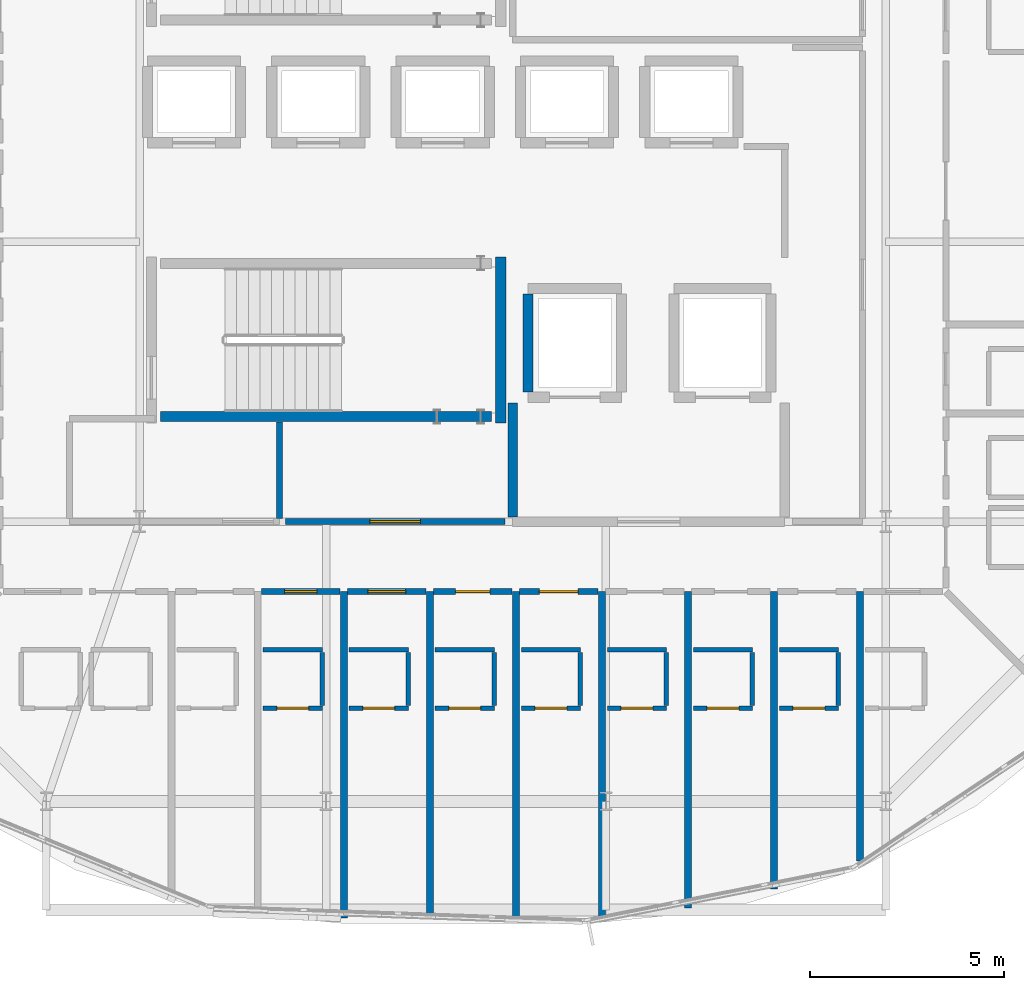
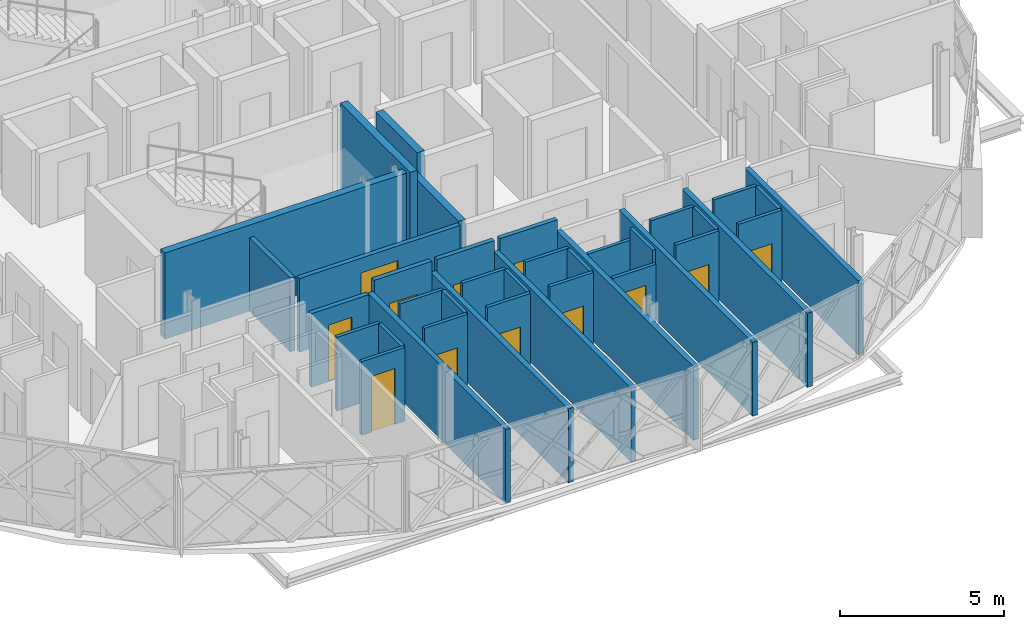
# One storey, part 29 of 40: 38 walls, 12 doors, 12 openings.
"""IFC4 building model written with IfcOpenShell, lengths in metres."""

from ifc_helpers import new_model, si_unit, direction, frame, frame_2d, origin, place, context, subcontext, project, spatial, rectangle, extrude, material, layer, layer_set, type_object, element, fill, save


model = new_model("IFC4")

# Units and contexts
model_context = context("Model", 3, precision=1e-05, world=origin(), true_north=direction((0.0, 1.0)))
body_context = subcontext(model_context, "Body", "Model", "MODEL_VIEW")
ifc_project = project(units=[si_unit("LENGTHUNIT", "METRE"), si_unit("AREAUNIT", "SQUARE_METRE"), si_unit("VOLUMEUNIT", "CUBIC_METRE"), si_unit("PLANEANGLEUNIT", "RADIAN"), si_unit("MASSUNIT", "GRAM", prefix="KILO")], contexts=[model_context])

# Site, building, storey
site_placement = place(None, origin())
site = spatial("IfcSite", under=ifc_project, at=site_placement, CompositionType="ELEMENT")
building_placement = place(site_placement, origin())
building = spatial("IfcBuilding", under=site, at=building_placement, Name="Zevrakil Square Congress Hotel", CompositionType="ELEMENT")
storey_placement = place(building_placement, frame((0.0, 0.0, 18.10009765625)))
storey = spatial("IfcBuildingStorey", under=building, at=storey_placement, Name="L05", CompositionType="ELEMENT", Elevation=18.10009765625)

# Walls
ifc_material_1 = material(Name="Concrete C35/45", Category="concrete")
ifc_layer_1 = layer(ifc_material_1, 0.239990234375)
ifc_layer_set_1 = layer_set([ifc_layer_1], Name="Concrete C35/45")
wall_type_1 = type_object("IfcWallType", Name="WAL-COMP-240", PredefinedType="SOLIDWALL", material=ifc_layer_set_1)
wall_1_placement = place(storey_placement, frame((146.39990234375, 16.925048828125, 0.0), z_axis=(0.0, 0.0, 1.0), x_axis=(0.0, 1.0, 0.0)))
element("IfcWall", 1, at=wall_1_placement, inside=storey, type_object=wall_type_1, Name="L05 interior partition PW-L05-0456", PredefinedType="SOLIDWALL", context=body_context, shape_type="SweptSolid", body=[
    extrude(rectangle(XDim=2.925048828125, YDim=0.239990234375, at=frame_2d((1.46240234375, 0.0))), origin(), (0.0, 0.0, 1.0), 2.744873046875),
])
ifc_material_2 = material(Name="Gypsum Acoustic Stud Partition")
ifc_layer_2 = layer(ifc_material_2, 0.159912109375)
ifc_layer_set_2 = layer_set([ifc_layer_2], Name="Gypsum Acoustic Stud Partition")
wall_type_2 = type_object("IfcWallType", Name="WAL-CORR-160", PredefinedType="PARTITIONING", material=ifc_layer_set_2)
wall_2_placement = place(storey_placement, frame((140.39990234375, 16.885009765625, 0.0), z_axis=(0.0, 0.0, 1.0), x_axis=(0.0, 1.0, 0.0)))
element("IfcWall", 2, at=wall_2_placement, inside=storey, type_object=wall_type_2, Name="L05 interior partition PW-L05-0460", PredefinedType="PARTITIONING", context=body_context, shape_type="SweptSolid", body=[
    extrude(rectangle(XDim=2.47998046875, YDim=0.159912109375, at=frame_2d((1.239990234375, 0.0))), origin(), (0.0, 0.0, 1.0), 2.744873046875),
])

# Wall, opening, door
wall_3_placement = place(storey_placement, frame((140.550048828125, 16.800048828125, 0.0), z_axis=(0.0, 0.0, 1.0), x_axis=(1.0, 0.0, 0.0)))
wall_3 = element("IfcWall", 3, at=wall_3_placement, inside=storey, type_object=wall_type_2, Name="L05 interior partition PW-L05-0462", PredefinedType="PARTITIONING", context=body_context, shape_type="SweptSolid", body=[
    extrude(rectangle(XDim=5.64990234375, YDim=0.159912109375, at=frame_2d((2.824951171875, 0.0))), origin(), (0.0, 0.0, 1.0), 2.744873046875),
])
opening_1_placement = place(wall_3_placement, frame((2.175048828125, 0.0, 0.0)))
opening_1 = element("IfcOpeningElement", 4, at=opening_1_placement, cuts=wall_3, Name="Opening ID-08", PredefinedType="OPENING", context=body_context, shape_type="SweptSolid", body=[
    extrude(rectangle(XDim=1.300048828125, YDim=2.199951171875, at=frame_2d((0.64990234375, 1.10009765625))), frame((0.0, 0.08984375, 0.0), z_axis=(0.0, -1.0, 0.0), x_axis=(1.0, 0.0, 0.0)), (0.0, 0.0, 1.0), 0.179931640625),
])
ifc_material_3 = material(Name="Service Corridor Leaf-and-Half Door")
door_type_1 = type_object("IfcDoorType", Name="DOR-BOH-130", OperationType="NOTDEFINED", PredefinedType="DOOR", material=ifc_material_3)
door_1_placement = place(opening_1_placement, origin())
door_1 = element("IfcDoor", 5, at=door_1_placement, inside=storey, type_object=door_type_1, Name="L05 interior door 187", OperationType="SINGLE_SWING_LEFT", OverallHeight=2.199951171875, OverallWidth=1.300048828125, PredefinedType="DOOR", context=body_context, shape_type="SweptSolid", body=[
    extrude(rectangle(XDim=1.300048828125, YDim=2.199951171875, at=frame_2d((0.64990234375, 1.10009765625))), frame((0.0, 0.02490234375, 0.0), z_axis=(0.0, -1.0, 0.0), x_axis=(1.0, 0.0, 0.0)), (0.0, 0.0, 1.0), 0.050048828125),
])
fill(opening_1, door_1)

wall_4_placement = place(storey_placement, frame((139.935791015625, 15.0, 0.0), z_axis=(0.0, 0.0, 1.0), x_axis=(1.0, 0.0, 0.0)))
wall_4 = element("IfcWall", 6, at=wall_4_placement, inside=storey, type_object=wall_type_2, Name="L05 interior partition PW-L05-0494", PredefinedType="PARTITIONING", context=body_context, shape_type="SweptSolid", body=[
    extrude(rectangle(XDim=2.023681640625, YDim=0.159912109375, at=frame_2d((1.01171875, 0.0))), origin(), (0.0, 0.0, 1.0), 2.744873046875),
])
opening_2_placement = place(wall_4_placement, frame((0.5966796875, 0.0, 0.0)))
opening_2 = element("IfcOpeningElement", 7, at=opening_2_placement, cuts=wall_4, Name="Opening ID-G10", PredefinedType="OPENING", context=body_context, shape_type="SweptSolid", body=[
    extrude(rectangle(XDim=0.830078125, YDim=2.110107421875, at=frame_2d((0.4150390625, 1.05517578125))), frame((0.0, 0.08984375, 0.0), z_axis=(0.0, -1.0, 0.0), x_axis=(1.0, 0.0, 0.0)), (0.0, 0.0, 1.0), 0.179931640625),
])
ifc_material_4 = material(Name="Acoustic Timber Fire Door", Category="wood")
door_type_2 = type_object("IfcDoorType", Name="DOR-INT-G10", OperationType="NOTDEFINED", PredefinedType="DOOR", material=ifc_material_4)
door_2_placement = place(opening_2_placement, origin())
door_2 = element("IfcDoor", 8, at=door_2_placement, inside=storey, type_object=door_type_2, Name="L05 interior door 198", OperationType="SINGLE_SWING_RIGHT", OverallHeight=2.110107421875, OverallWidth=0.830078125, PredefinedType="DOOR", context=body_context, shape_type="SweptSolid", body=[
    extrude(rectangle(XDim=0.830078125, YDim=2.110107421875, at=frame_2d((0.4150390625, 1.05517578125))), frame((0.0, 0.02490234375, 0.0), z_axis=(0.0, -1.0, 0.0), x_axis=(1.0, 0.0, 0.0)), (0.0, 0.0, 1.0), 0.050048828125),
])
fill(opening_2, door_2)

wall_5_placement = place(storey_placement, frame((142.1494140625, 15.0, 0.0), z_axis=(0.0, 0.0, 1.0), x_axis=(1.0, 0.0, 0.0)))
wall_5 = element("IfcWall", 9, at=wall_5_placement, inside=storey, type_object=wall_type_2, Name="L05 interior partition PW-L05-0499", PredefinedType="PARTITIONING", context=body_context, shape_type="SweptSolid", body=[
    extrude(rectangle(XDim=2.023681640625, YDim=0.159912109375, at=frame_2d((1.01171875, 0.0))), origin(), (0.0, 0.0, 1.0), 3.2099609375),
])
opening_3_placement = place(wall_5_placement, frame((0.52587890625, 0.0, 0.0)))
opening_3 = element("IfcOpeningElement", 10, at=opening_3_placement, cuts=wall_5, Name="Opening ID-H11", PredefinedType="OPENING", context=body_context, shape_type="SweptSolid", body=[
    extrude(rectangle(XDim=0.971923828125, YDim=2.159912109375, at=frame_2d((0.48583984375, 1.080078125))), frame((0.0, 0.08984375, 0.0), z_axis=(0.0, -1.0, 0.0), x_axis=(1.0, 0.0, 0.0)), (0.0, 0.0, 1.0), 0.179931640625),
])
ifc_material_5 = material(Name="Acoustic Timber Fire Door", Category="wood")
door_type_3 = type_object("IfcDoorType", Name="DOR-INT-H11", OperationType="NOTDEFINED", PredefinedType="DOOR", material=ifc_material_5)
door_3_placement = place(opening_3_placement, origin())
door_3 = element("IfcDoor", 11, at=door_3_placement, inside=storey, type_object=door_type_3, Name="L05 interior door 200", OperationType="SINGLE_SWING_RIGHT", OverallHeight=2.159912109375, OverallWidth=0.971923828125, PredefinedType="DOOR", context=body_context, shape_type="SweptSolid", body=[
    extrude(rectangle(XDim=0.971923828125, YDim=2.159912109375, at=frame_2d((0.48583984375, 1.080078125))), frame((0.0, 0.02490234375, 0.0), z_axis=(0.0, -1.0, 0.0), x_axis=(1.0, 0.0, 0.0)), (0.0, 0.0, 1.0), 0.050048828125),
])
fill(opening_3, door_3)

wall_6_placement = place(storey_placement, frame((144.36328125, 15.0, 0.0), z_axis=(0.0, 0.0, 1.0), x_axis=(1.0, 0.0, 0.0)))
wall_6 = element("IfcWall", 12, at=wall_6_placement, inside=storey, type_object=wall_type_2, Name="L05 interior partition PW-L05-0504", PredefinedType="PARTITIONING", context=body_context, shape_type="SweptSolid", body=[
    extrude(rectangle(XDim=2.0234375, YDim=0.159912109375, at=frame_2d((1.01171875, 0.0))), origin(), (0.0, 0.0, 1.0), 3.2099609375),
])
opening_4_placement = place(wall_6_placement, frame((0.57177734375, 0.0, 0.0)))
opening_4 = element("IfcOpeningElement", 13, at=opening_4_placement, cuts=wall_6, Name="Opening ID-G02", PredefinedType="OPENING", context=body_context, shape_type="SweptSolid", body=[
    extrude(rectangle(XDim=0.8798828125, YDim=2.050048828125, at=frame_2d((0.43994140625, 1.02490234375))), frame((0.0, 0.08984375, 0.0), z_axis=(0.0, -1.0, 0.0), x_axis=(1.0, 0.0, 0.0)), (0.0, 0.0, 1.0), 0.179931640625),
])
ifc_material_6 = material(Name="Acoustic Timber Fire Door", Category="wood")
door_type_4 = type_object("IfcDoorType", Name="DOR-INT-G02", OperationType="NOTDEFINED", PredefinedType="DOOR", material=ifc_material_6)
door_4_placement = place(opening_4_placement, origin())
door_4 = element("IfcDoor", 14, at=door_4_placement, inside=storey, type_object=door_type_4, Name="L05 interior door 202", OperationType="SINGLE_SWING_RIGHT", OverallHeight=2.050048828125, OverallWidth=0.8798828125, PredefinedType="DOOR", context=body_context, shape_type="SweptSolid", body=[
    extrude(rectangle(XDim=0.8798828125, YDim=2.050048828125, at=frame_2d((0.43994140625, 1.02490234375))), frame((0.0, 0.02490234375, 0.0), z_axis=(0.0, -1.0, 0.0), x_axis=(1.0, 0.0, 0.0)), (0.0, 0.0, 1.0), 0.050048828125),
])
fill(opening_4, door_4)

wall_7_placement = place(storey_placement, frame((146.576904296875, 15.0, 0.0), z_axis=(0.0, 0.0, 1.0), x_axis=(1.0, 0.0, 0.0)))
wall_7 = element("IfcWall", 15, at=wall_7_placement, inside=storey, type_object=wall_type_2, Name="L05 interior partition PW-L05-0509", PredefinedType="PARTITIONING", context=body_context, shape_type="SweptSolid", body=[
    extrude(rectangle(XDim=2.023681640625, YDim=0.159912109375, at=frame_2d((1.01171875, 0.0))), origin(), (0.0, 0.0, 1.0), 3.2099609375),
])
opening_5_placement = place(wall_7_placement, frame((0.513916015625, 0.0, 0.0)))
opening_5 = element("IfcOpeningElement", 16, at=opening_5_placement, cuts=wall_7, Name="Opening ID-H13", PredefinedType="OPENING", context=body_context, shape_type="SweptSolid", body=[
    extrude(rectangle(XDim=0.99609375, YDim=2.10009765625, at=frame_2d((0.498046875, 1.050048828125))), frame((0.0, 0.08984375, 0.0), z_axis=(0.0, -1.0, 0.0), x_axis=(1.0, 0.0, 0.0)), (0.0, 0.0, 1.0), 0.179931640625),
])
ifc_material_7 = material(Name="Acoustic Timber Fire Door", Category="wood")
door_type_5 = type_object("IfcDoorType", Name="DOR-INT-H13", OperationType="NOTDEFINED", PredefinedType="DOOR", material=ifc_material_7)
door_5_placement = place(opening_5_placement, origin())
door_5 = element("IfcDoor", 17, at=door_5_placement, inside=storey, type_object=door_type_5, Name="L05 interior door 204", OperationType="SINGLE_SWING_RIGHT", OverallHeight=2.10009765625, OverallWidth=0.99609375, PredefinedType="DOOR", context=body_context, shape_type="SweptSolid", body=[
    extrude(rectangle(XDim=0.99609375, YDim=2.10009765625, at=frame_2d((0.498046875, 1.050048828125))), frame((0.0, 0.02490234375, 0.0), z_axis=(0.0, -1.0, 0.0), x_axis=(1.0, 0.0, 0.0)), (0.0, 0.0, 1.0), 0.050048828125),
])
fill(opening_5, door_5)

ifc_material_8 = material(Name="Moisture-Resistant Gypsum Partition")
ifc_layer_3 = layer(ifc_material_8, 0.1201171875)
ifc_layer_set_3 = layer_set([ifc_layer_3], Name="Moisture-Resistant Gypsum Partition")
wall_type_3 = type_object("IfcWallType", Name="WAL-ENS-120", PredefinedType="PARTITIONING", material=ifc_layer_set_3)
wall_8_placement = place(storey_placement, frame((139.98095703125, 12.0, 0.0), z_axis=(0.0, 0.0, 1.0), x_axis=(1.0, 0.0, 0.0)))
wall_8 = element("IfcWall", 18, at=wall_8_placement, inside=storey, type_object=wall_type_3, Name="L05 interior partition PW-L05-0495", PredefinedType="PARTITIONING", context=body_context, shape_type="SweptSolid", body=[
    extrude(rectangle(XDim=1.52001953125, YDim=0.1201171875, at=frame_2d((0.760009765625, 0.0))), origin(), (0.0, 0.0, 1.0), 2.744873046875),
])
opening_6_placement = place(wall_8_placement, frame((0.35009765625, 0.0, 0.0)))
opening_6 = element("IfcOpeningElement", 19, at=opening_6_placement, cuts=wall_8, Name="Opening ID-11", PredefinedType="OPENING", context=body_context, shape_type="SweptSolid", body=[
    extrude(rectangle(XDim=0.820068359375, YDim=2.080078125, at=frame_2d((0.41015625, 1.0400390625))), frame((0.0, 0.070068359375, 0.0), z_axis=(0.0, -1.0, 0.0), x_axis=(1.0, 0.0, 0.0)), (0.0, 0.0, 1.0), 0.14013671875),
])
ifc_material_9 = material(Name="Acoustic Timber Door", Category="wood")
door_type_6 = type_object("IfcDoorType", Name="DOR-INT-V01", OperationType="NOTDEFINED", PredefinedType="DOOR", material=ifc_material_9)
door_6_placement = place(opening_6_placement, origin())
door_6 = element("IfcDoor", 20, at=door_6_placement, inside=storey, type_object=door_type_6, Name="L05 interior door 199", OperationType="SINGLE_SWING_LEFT", OverallHeight=2.080078125, OverallWidth=0.820068359375, PredefinedType="DOOR", context=body_context, shape_type="SweptSolid", body=[
    extrude(rectangle(XDim=0.820068359375, YDim=2.080078125, at=frame_2d((0.41015625, 1.0400390625))), frame((0.0, 0.02490234375, 0.0), z_axis=(0.0, -1.0, 0.0), x_axis=(1.0, 0.0, 0.0)), (0.0, 0.0, 1.0), 0.050048828125),
])
fill(opening_6, door_6)

# Walls
wall_9_placement = place(storey_placement, frame((139.98095703125, 13.5, 0.0), z_axis=(0.0, 0.0, 1.0), x_axis=(1.0, 0.0, 0.0)))
element("IfcWall", 21, at=wall_9_placement, inside=storey, type_object=wall_type_3, Name="L05 interior partition PW-L05-0496", PredefinedType="PARTITIONING", context=body_context, shape_type="SweptSolid", body=[
    extrude(rectangle(XDim=1.52001953125, YDim=0.1201171875, at=frame_2d((0.760009765625, 0.0))), origin(), (0.0, 0.0, 1.0), 2.744873046875),
])
wall_10_placement = place(storey_placement, frame((141.5009765625, 12.06494140625, 0.0), z_axis=(0.0, 0.0, 1.0), x_axis=(0.0, 1.0, 0.0)))
element("IfcWall", 22, at=wall_10_placement, inside=storey, type_object=wall_type_3, Name="L05 interior partition PW-L05-0497", PredefinedType="PARTITIONING", context=body_context, shape_type="SweptSolid", body=[
    extrude(rectangle(XDim=1.3701171875, YDim=0.1201171875, at=frame_2d((0.68505859375, 0.0))), origin(), (0.0, 0.0, 1.0), 2.744873046875),
])

# Wall, opening, door
wall_11_placement = place(storey_placement, frame((142.194580078125, 12.0, 0.0), z_axis=(0.0, 0.0, 1.0), x_axis=(1.0, 0.0, 0.0)))
wall_11 = element("IfcWall", 23, at=wall_11_placement, inside=storey, type_object=wall_type_3, Name="L05 interior partition PW-L05-0500", PredefinedType="PARTITIONING", context=body_context, shape_type="SweptSolid", body=[
    extrude(rectangle(XDim=1.52001953125, YDim=0.1201171875, at=frame_2d((0.760009765625, 0.0))), origin(), (0.0, 0.0, 1.0), 3.2099609375),
])
opening_7_placement = place(wall_11_placement, frame((0.35009765625, 0.0, 0.0)))
opening_7 = element("IfcOpeningElement", 24, at=opening_7_placement, cuts=wall_11, Name="Opening ID-11", PredefinedType="OPENING", context=body_context, shape_type="SweptSolid", body=[
    extrude(rectangle(XDim=0.820068359375, YDim=2.080078125, at=frame_2d((0.41015625, 1.0400390625))), frame((0.0, 0.070068359375, 0.0), z_axis=(0.0, -1.0, 0.0), x_axis=(1.0, 0.0, 0.0)), (0.0, 0.0, 1.0), 0.14013671875),
])
door_7_placement = place(opening_7_placement, origin())
door_7 = element("IfcDoor", 25, at=door_7_placement, inside=storey, type_object=door_type_6, Name="L05 interior door 201", OperationType="SINGLE_SWING_LEFT", OverallHeight=2.080078125, OverallWidth=0.820068359375, PredefinedType="DOOR", context=body_context, shape_type="SweptSolid", body=[
    extrude(rectangle(XDim=0.820068359375, YDim=2.080078125, at=frame_2d((0.41015625, 1.0400390625))), frame((0.0, 0.02490234375, 0.0), z_axis=(0.0, -1.0, 0.0), x_axis=(1.0, 0.0, 0.0)), (0.0, 0.0, 1.0), 0.050048828125),
])
fill(opening_7, door_7)

# Walls
wall_12_placement = place(storey_placement, frame((142.194580078125, 13.5, 0.0), z_axis=(0.0, 0.0, 1.0), x_axis=(1.0, 0.0, 0.0)))
element("IfcWall", 26, at=wall_12_placement, inside=storey, type_object=wall_type_3, Name="L05 interior partition PW-L05-0501", PredefinedType="PARTITIONING", context=body_context, shape_type="SweptSolid", body=[
    extrude(rectangle(XDim=1.52001953125, YDim=0.1201171875, at=frame_2d((0.760009765625, 0.0))), origin(), (0.0, 0.0, 1.0), 3.2099609375),
])
wall_13_placement = place(storey_placement, frame((143.714599609375, 12.06494140625, 0.0), z_axis=(0.0, 0.0, 1.0), x_axis=(0.0, 1.0, 0.0)))
element("IfcWall", 27, at=wall_13_placement, inside=storey, type_object=wall_type_3, Name="L05 interior partition PW-L05-0502", PredefinedType="PARTITIONING", context=body_context, shape_type="SweptSolid", body=[
    extrude(rectangle(XDim=1.3701171875, YDim=0.1201171875, at=frame_2d((0.68505859375, 0.0))), origin(), (0.0, 0.0, 1.0), 3.2099609375),
])

# Wall, opening, door
wall_14_placement = place(storey_placement, frame((144.408203125, 12.0, 0.0), z_axis=(0.0, 0.0, 1.0), x_axis=(1.0, 0.0, 0.0)))
wall_14 = element("IfcWall", 28, at=wall_14_placement, inside=storey, type_object=wall_type_3, Name="L05 interior partition PW-L05-0505", PredefinedType="PARTITIONING", context=body_context, shape_type="SweptSolid", body=[
    extrude(rectangle(XDim=1.52001953125, YDim=0.1201171875, at=frame_2d((0.760009765625, 0.0))), origin(), (0.0, 0.0, 1.0), 3.2099609375),
])
opening_8_placement = place(wall_14_placement, frame((0.35009765625, 0.0, 0.0)))
opening_8 = element("IfcOpeningElement", 29, at=opening_8_placement, cuts=wall_14, Name="Opening ID-11", PredefinedType="OPENING", context=body_context, shape_type="SweptSolid", body=[
    extrude(rectangle(XDim=0.820068359375, YDim=2.080078125, at=frame_2d((0.41015625, 1.0400390625))), frame((0.0, 0.070068359375, 0.0), z_axis=(0.0, -1.0, 0.0), x_axis=(1.0, 0.0, 0.0)), (0.0, 0.0, 1.0), 0.14013671875),
])
door_8_placement = place(opening_8_placement, origin())
door_8 = element("IfcDoor", 30, at=door_8_placement, inside=storey, type_object=door_type_6, Name="L05 interior door 203", OperationType="SINGLE_SWING_LEFT", OverallHeight=2.080078125, OverallWidth=0.820068359375, PredefinedType="DOOR", context=body_context, shape_type="SweptSolid", body=[
    extrude(rectangle(XDim=0.820068359375, YDim=2.080078125, at=frame_2d((0.41015625, 1.0400390625))), frame((0.0, 0.02490234375, 0.0), z_axis=(0.0, -1.0, 0.0), x_axis=(1.0, 0.0, 0.0)), (0.0, 0.0, 1.0), 0.050048828125),
])
fill(opening_8, door_8)

# Walls
wall_15_placement = place(storey_placement, frame((144.408203125, 13.5, 0.0), z_axis=(0.0, 0.0, 1.0), x_axis=(1.0, 0.0, 0.0)))
element("IfcWall", 31, at=wall_15_placement, inside=storey, type_object=wall_type_3, Name="L05 interior partition PW-L05-0506", PredefinedType="PARTITIONING", context=body_context, shape_type="SweptSolid", body=[
    extrude(rectangle(XDim=1.52001953125, YDim=0.1201171875, at=frame_2d((0.760009765625, 0.0))), origin(), (0.0, 0.0, 1.0), 3.2099609375),
])
wall_16_placement = place(storey_placement, frame((145.92822265625, 12.06494140625, 0.0), z_axis=(0.0, 0.0, 1.0), x_axis=(0.0, 1.0, 0.0)))
element("IfcWall", 32, at=wall_16_placement, inside=storey, type_object=wall_type_3, Name="L05 interior partition PW-L05-0507", PredefinedType="PARTITIONING", context=body_context, shape_type="SweptSolid", body=[
    extrude(rectangle(XDim=1.3701171875, YDim=0.1201171875, at=frame_2d((0.68505859375, 0.0))), origin(), (0.0, 0.0, 1.0), 3.2099609375),
])

# Wall, opening, door
wall_17_placement = place(storey_placement, frame((146.621826171875, 12.0, 0.0), z_axis=(0.0, 0.0, 1.0), x_axis=(1.0, 0.0, 0.0)))
wall_17 = element("IfcWall", 33, at=wall_17_placement, inside=storey, type_object=wall_type_3, Name="L05 interior partition PW-L05-0510", PredefinedType="PARTITIONING", context=body_context, shape_type="SweptSolid", body=[
    extrude(rectangle(XDim=1.52001953125, YDim=0.1201171875, at=frame_2d((0.760009765625, 0.0))), origin(), (0.0, 0.0, 1.0), 3.2099609375),
])
opening_9_placement = place(wall_17_placement, frame((0.35009765625, 0.0, 0.0)))
opening_9 = element("IfcOpeningElement", 34, at=opening_9_placement, cuts=wall_17, Name="Opening ID-11", PredefinedType="OPENING", context=body_context, shape_type="SweptSolid", body=[
    extrude(rectangle(XDim=0.820068359375, YDim=2.080078125, at=frame_2d((0.41015625, 1.0400390625))), frame((0.0, 0.070068359375, 0.0), z_axis=(0.0, -1.0, 0.0), x_axis=(1.0, 0.0, 0.0)), (0.0, 0.0, 1.0), 0.14013671875),
])
door_9_placement = place(opening_9_placement, origin())
door_9 = element("IfcDoor", 35, at=door_9_placement, inside=storey, type_object=door_type_6, Name="L05 interior door 205", OperationType="SINGLE_SWING_LEFT", OverallHeight=2.080078125, OverallWidth=0.820068359375, PredefinedType="DOOR", context=body_context, shape_type="SweptSolid", body=[
    extrude(rectangle(XDim=0.820068359375, YDim=2.080078125, at=frame_2d((0.41015625, 1.0400390625))), frame((0.0, 0.02490234375, 0.0), z_axis=(0.0, -1.0, 0.0), x_axis=(1.0, 0.0, 0.0)), (0.0, 0.0, 1.0), 0.050048828125),
])
fill(opening_9, door_9)

# Walls
wall_18_placement = place(storey_placement, frame((146.621826171875, 13.5, 0.0), z_axis=(0.0, 0.0, 1.0), x_axis=(1.0, 0.0, 0.0)))
element("IfcWall", 36, at=wall_18_placement, inside=storey, type_object=wall_type_3, Name="L05 interior partition PW-L05-0511", PredefinedType="PARTITIONING", context=body_context, shape_type="SweptSolid", body=[
    extrude(rectangle(XDim=1.52001953125, YDim=0.1201171875, at=frame_2d((0.760009765625, 0.0))), origin(), (0.0, 0.0, 1.0), 3.2099609375),
])
wall_19_placement = place(storey_placement, frame((148.141845703125, 12.06494140625, 0.0), z_axis=(0.0, 0.0, 1.0), x_axis=(0.0, 1.0, 0.0)))
element("IfcWall", 37, at=wall_19_placement, inside=storey, type_object=wall_type_3, Name="L05 interior partition PW-L05-0512", PredefinedType="PARTITIONING", context=body_context, shape_type="SweptSolid", body=[
    extrude(rectangle(XDim=1.3701171875, YDim=0.1201171875, at=frame_2d((0.68505859375, 0.0))), origin(), (0.0, 0.0, 1.0), 3.2099609375),
])

# Wall, opening, door
wall_20_placement = place(storey_placement, frame((148.83544921875, 12.0, 0.0), z_axis=(0.0, 0.0, 1.0), x_axis=(1.0, 0.0, 0.0)))
wall_20 = element("IfcWall", 38, at=wall_20_placement, inside=storey, type_object=wall_type_3, Name="L05 interior partition PW-L05-0515", PredefinedType="PARTITIONING", context=body_context, shape_type="SweptSolid", body=[
    extrude(rectangle(XDim=1.52001953125, YDim=0.1201171875, at=frame_2d((0.760009765625, 0.0))), origin(), (0.0, 0.0, 1.0), 2.744873046875),
])
opening_10_placement = place(wall_20_placement, frame((0.35009765625, 0.0, 0.0)))
opening_10 = element("IfcOpeningElement", 39, at=opening_10_placement, cuts=wall_20, Name="Opening ID-11", PredefinedType="OPENING", context=body_context, shape_type="SweptSolid", body=[
    extrude(rectangle(XDim=0.820068359375, YDim=2.080078125, at=frame_2d((0.41015625, 1.0400390625))), frame((0.0, 0.070068359375, 0.0), z_axis=(0.0, -1.0, 0.0), x_axis=(1.0, 0.0, 0.0)), (0.0, 0.0, 1.0), 0.14013671875),
])
door_10_placement = place(opening_10_placement, origin())
door_10 = element("IfcDoor", 40, at=door_10_placement, inside=storey, type_object=door_type_6, Name="L05 interior door 207", OperationType="SINGLE_SWING_LEFT", OverallHeight=2.080078125, OverallWidth=0.820068359375, PredefinedType="DOOR", context=body_context, shape_type="SweptSolid", body=[
    extrude(rectangle(XDim=0.820068359375, YDim=2.080078125, at=frame_2d((0.41015625, 1.0400390625))), frame((0.0, 0.02490234375, 0.0), z_axis=(0.0, -1.0, 0.0), x_axis=(1.0, 0.0, 0.0)), (0.0, 0.0, 1.0), 0.050048828125),
])
fill(opening_10, door_10)

# Walls
wall_21_placement = place(storey_placement, frame((148.83544921875, 13.5, 0.0), z_axis=(0.0, 0.0, 1.0), x_axis=(1.0, 0.0, 0.0)))
element("IfcWall", 41, at=wall_21_placement, inside=storey, type_object=wall_type_3, Name="L05 interior partition PW-L05-0516", PredefinedType="PARTITIONING", context=body_context, shape_type="SweptSolid", body=[
    extrude(rectangle(XDim=1.52001953125, YDim=0.1201171875, at=frame_2d((0.760009765625, 0.0))), origin(), (0.0, 0.0, 1.0), 2.744873046875),
])
wall_22_placement = place(storey_placement, frame((150.35546875, 12.06494140625, 0.0), z_axis=(0.0, 0.0, 1.0), x_axis=(0.0, 1.0, 0.0)))
element("IfcWall", 42, at=wall_22_placement, inside=storey, type_object=wall_type_3, Name="L05 interior partition PW-L05-0517", PredefinedType="PARTITIONING", context=body_context, shape_type="SweptSolid", body=[
    extrude(rectangle(XDim=1.3701171875, YDim=0.1201171875, at=frame_2d((0.68505859375, 0.0))), origin(), (0.0, 0.0, 1.0), 3.2099609375),
])

# Wall, opening, door
wall_23_placement = place(storey_placement, frame((151.049072265625, 12.0, 0.0), z_axis=(0.0, 0.0, 1.0), x_axis=(1.0, 0.0, 0.0)))
wall_23 = element("IfcWall", 43, at=wall_23_placement, inside=storey, type_object=wall_type_3, Name="L05 interior partition PW-L05-0520", PredefinedType="PARTITIONING", context=body_context, shape_type="SweptSolid", body=[
    extrude(rectangle(XDim=1.52001953125, YDim=0.1201171875, at=frame_2d((0.760009765625, 0.0))), origin(), (0.0, 0.0, 1.0), 3.2099609375),
])
opening_11_placement = place(wall_23_placement, frame((0.35009765625, 0.0, 0.0)))
opening_11 = element("IfcOpeningElement", 44, at=opening_11_placement, cuts=wall_23, Name="Opening ID-11", PredefinedType="OPENING", context=body_context, shape_type="SweptSolid", body=[
    extrude(rectangle(XDim=0.820068359375, YDim=2.080078125, at=frame_2d((0.41015625, 1.0400390625))), frame((0.0, 0.070068359375, 0.0), z_axis=(0.0, -1.0, 0.0), x_axis=(1.0, 0.0, 0.0)), (0.0, 0.0, 1.0), 0.14013671875),
])
door_11_placement = place(opening_11_placement, origin())
door_11 = element("IfcDoor", 45, at=door_11_placement, inside=storey, type_object=door_type_6, Name="L05 interior door 209", OperationType="SINGLE_SWING_LEFT", OverallHeight=2.080078125, OverallWidth=0.820068359375, PredefinedType="DOOR", context=body_context, shape_type="SweptSolid", body=[
    extrude(rectangle(XDim=0.820068359375, YDim=2.080078125, at=frame_2d((0.41015625, 1.0400390625))), frame((0.0, 0.02490234375, 0.0), z_axis=(0.0, -1.0, 0.0), x_axis=(1.0, 0.0, 0.0)), (0.0, 0.0, 1.0), 0.050048828125),
])
fill(opening_11, door_11)

# Walls
wall_24_placement = place(storey_placement, frame((151.049072265625, 13.5, 0.0), z_axis=(0.0, 0.0, 1.0), x_axis=(1.0, 0.0, 0.0)))
element("IfcWall", 46, at=wall_24_placement, inside=storey, type_object=wall_type_3, Name="L05 interior partition PW-L05-0521", PredefinedType="PARTITIONING", context=body_context, shape_type="SweptSolid", body=[
    extrude(rectangle(XDim=1.52001953125, YDim=0.1201171875, at=frame_2d((0.760009765625, 0.0))), origin(), (0.0, 0.0, 1.0), 3.2099609375),
])
wall_25_placement = place(storey_placement, frame((152.569091796875, 12.06494140625, 0.0), z_axis=(0.0, 0.0, 1.0), x_axis=(0.0, 1.0, 0.0)))
element("IfcWall", 47, at=wall_25_placement, inside=storey, type_object=wall_type_3, Name="L05 interior partition PW-L05-0522", PredefinedType="PARTITIONING", context=body_context, shape_type="SweptSolid", body=[
    extrude(rectangle(XDim=1.3701171875, YDim=0.1201171875, at=frame_2d((0.68505859375, 0.0))), origin(), (0.0, 0.0, 1.0), 3.2099609375),
])

# Wall, opening, door
wall_26_placement = place(storey_placement, frame((153.2626953125, 12.0, 0.0), z_axis=(0.0, 0.0, 1.0), x_axis=(1.0, 0.0, 0.0)))
wall_26 = element("IfcWall", 48, at=wall_26_placement, inside=storey, type_object=wall_type_3, Name="L05 interior partition PW-L05-0525", PredefinedType="PARTITIONING", context=body_context, shape_type="SweptSolid", body=[
    extrude(rectangle(XDim=1.52001953125, YDim=0.1201171875, at=frame_2d((0.760009765625, 0.0))), origin(), (0.0, 0.0, 1.0), 3.2099609375),
])
opening_12_placement = place(wall_26_placement, frame((0.35009765625, 0.0, 0.0)))
opening_12 = element("IfcOpeningElement", 49, at=opening_12_placement, cuts=wall_26, Name="Opening ID-11", PredefinedType="OPENING", context=body_context, shape_type="SweptSolid", body=[
    extrude(rectangle(XDim=0.820068359375, YDim=2.080078125, at=frame_2d((0.41015625, 1.0400390625))), frame((0.0, 0.070068359375, 0.0), z_axis=(0.0, -1.0, 0.0), x_axis=(1.0, 0.0, 0.0)), (0.0, 0.0, 1.0), 0.14013671875),
])
door_12_placement = place(opening_12_placement, origin())
door_12 = element("IfcDoor", 50, at=door_12_placement, inside=storey, type_object=door_type_6, Name="L05 interior door 211", OperationType="SINGLE_SWING_LEFT", OverallHeight=2.080078125, OverallWidth=0.820068359375, PredefinedType="DOOR", context=body_context, shape_type="SweptSolid", body=[
    extrude(rectangle(XDim=0.820068359375, YDim=2.080078125, at=frame_2d((0.41015625, 1.0400390625))), frame((0.0, 0.02490234375, 0.0), z_axis=(0.0, -1.0, 0.0), x_axis=(1.0, 0.0, 0.0)), (0.0, 0.0, 1.0), 0.050048828125),
])
fill(opening_12, door_12)

# Walls
wall_27_placement = place(storey_placement, frame((153.2626953125, 13.5, 0.0), z_axis=(0.0, 0.0, 1.0), x_axis=(1.0, 0.0, 0.0)))
element("IfcWall", 51, at=wall_27_placement, inside=storey, type_object=wall_type_3, Name="L05 interior partition PW-L05-0526", PredefinedType="PARTITIONING", context=body_context, shape_type="SweptSolid", body=[
    extrude(rectangle(XDim=1.52001953125, YDim=0.1201171875, at=frame_2d((0.760009765625, 0.0))), origin(), (0.0, 0.0, 1.0), 3.2099609375),
])
wall_28_placement = place(storey_placement, frame((154.78271484375, 12.06494140625, 0.0), z_axis=(0.0, 0.0, 1.0), x_axis=(0.0, 1.0, 0.0)))
element("IfcWall", 52, at=wall_28_placement, inside=storey, type_object=wall_type_3, Name="L05 interior partition PW-L05-0527", PredefinedType="PARTITIONING", context=body_context, shape_type="SweptSolid", body=[
    extrude(rectangle(XDim=1.3701171875, YDim=0.1201171875, at=frame_2d((0.68505859375, 0.0))), origin(), (0.0, 0.0, 1.0), 3.2099609375),
])
ifc_material_10 = material(Name="Gypsum Twin-Stud Party Partition")
ifc_layer_4 = layer(ifc_material_10, 0.179931640625)
ifc_layer_set_4 = layer_set([ifc_layer_4], Name="Gypsum Twin-Stud Party Partition")
wall_type_4 = type_object("IfcWallType", Name="WAL-PARTY-180", PredefinedType="PARTITIONING", material=ifc_layer_set_4)
wall_29_placement = place(storey_placement, frame((142.054443359375, 6.604736328125, 0.0), z_axis=(0.0, 0.0, 1.0), x_axis=(0.0, 1.0, 0.0)))
element("IfcWall", 53, at=wall_29_placement, inside=storey, type_object=wall_type_4, Name="L05 interior partition PW-L05-0498", PredefinedType="PARTITIONING", context=body_context, shape_type="SweptSolid", body=[
    extrude(rectangle(XDim=8.395263671875, YDim=0.179931640625, at=frame_2d((4.19775390625, 0.0))), origin(), (0.0, 0.0, 1.0), 2.7548828125),
])
for number, where, z_axis, x_axis, name in (
    (54, (144.268310546875, 6.597412109375, 0.0), (0.0, 0.0, 1.0), (0.0, 1.0, 0.0), "L05 interior partition PW-L05-0503"),
    (55, (146.481689453125, 6.597412109375, 0.0), (0.0, 0.0, 1.0), (0.0, 1.0, 0.0), "L05 interior partition PW-L05-0508"),
):
    element("IfcWall", number, at=place(storey_placement, frame(where, z_axis=z_axis, x_axis=x_axis)), inside=storey, type_object=wall_type_4, Name=name, PredefinedType="PARTITIONING", context=body_context, shape_type="SweptSolid", body=[
        extrude(rectangle(XDim=8.402587890625, YDim=0.179931640625, at=frame_2d((4.201171875, 0.0))), origin(), (0.0, 0.0, 1.0), 2.7548828125),
    ])
wall_30_placement = place(storey_placement, frame((148.695556640625, 6.63916015625, 0.0), z_axis=(0.0, 0.0, 1.0), x_axis=(0.0, 1.0, 0.0)))
element("IfcWall", 56, at=wall_30_placement, inside=storey, type_object=wall_type_4, Name="L05 interior partition PW-L05-0513", PredefinedType="PARTITIONING", context=body_context, shape_type="SweptSolid", body=[
    extrude(rectangle(XDim=8.36083984375, YDim=0.179931640625, at=frame_2d((4.180419921875, 0.0))), origin(), (0.0, 0.0, 1.0), 2.7548828125),
])
wall_31_placement = place(storey_placement, frame((150.9091796875, 6.857177734375, 0.0), z_axis=(0.0, 0.0, 1.0), x_axis=(0.0, 1.0, 0.0)))
element("IfcWall", 57, at=wall_31_placement, inside=storey, type_object=wall_type_4, Name="L05 interior partition PW-L05-0518", PredefinedType="PARTITIONING", context=body_context, shape_type="SweptSolid", body=[
    extrude(rectangle(XDim=8.142822265625, YDim=0.179931640625, at=frame_2d((4.0712890625, 0.0))), origin(), (0.0, 0.0, 1.0), 2.7548828125),
])
wall_32_placement = place(storey_placement, frame((153.122802734375, 7.352294921875, 0.0), z_axis=(0.0, 0.0, 1.0), x_axis=(0.0, 1.0, 0.0)))
element("IfcWall", 58, at=wall_32_placement, inside=storey, type_object=wall_type_4, Name="L05 interior partition PW-L05-0523", PredefinedType="PARTITIONING", context=body_context, shape_type="SweptSolid", body=[
    extrude(rectangle(XDim=7.647705078125, YDim=0.179931640625, at=frame_2d((3.82373046875, 0.0))), origin(), (0.0, 0.0, 1.0), 2.7548828125),
])
wall_33_placement = place(storey_placement, frame((155.33642578125, 8.070556640625, 0.0), z_axis=(0.0, 0.0, 1.0), x_axis=(0.0, 1.0, 0.0)))
element("IfcWall", 59, at=wall_33_placement, inside=storey, type_object=wall_type_4, Name="L05 interior partition PW-L05-0528", PredefinedType="PARTITIONING", context=body_context, shape_type="SweptSolid", body=[
    extrude(rectangle(XDim=6.929443359375, YDim=0.179931640625, at=frame_2d((3.46484375, 0.0))), origin(), (0.0, 0.0, 1.0), 2.7548828125),
])
ifc_material_11 = material(Name="Concrete C40/50", Category="concrete")
ifc_layer_5 = layer(ifc_material_11, 0.260009765625)
ifc_layer_set_5 = layer_set([ifc_layer_5], Name="Concrete C40/50")
wall_type_5 = type_object("IfcWallType", Name="WAL-SHAFT-260", PredefinedType="SHEAR", material=ifc_layer_set_5)
wall_34_placement = place(storey_placement, frame((146.094970703125, 19.340087890625, 0.0), z_axis=(0.0, 0.0, 1.0), x_axis=(0.0, 1.0, 0.0)))
element("IfcWall", 60, at=wall_34_placement, inside=storey, type_object=wall_type_5, Name="L05 ST01 stair shaft E wall", PredefinedType="SHEAR", context=body_context, shape_type="SweptSolid", body=[
    extrude(rectangle(XDim=4.27001953125, YDim=0.260009765625, at=frame_2d((2.135009765625, 0.0))), origin(), (0.0, 0.0, 1.0), 3.2099609375),
])
wall_35_placement = place(storey_placement, frame((137.340087890625, 19.5048828125, 0.0), z_axis=(0.0, 0.0, 1.0), x_axis=(1.0, 0.0, 0.0)))
element("IfcWall", 61, at=wall_35_placement, inside=storey, type_object=wall_type_5, Name="L05 ST01 stair shaft S wall", PredefinedType="SHEAR", context=body_context, shape_type="SweptSolid", body=[
    extrude(rectangle(XDim=8.52001953125, YDim=0.260009765625, at=frame_2d((4.260009765625, 0.0))), origin(), (0.0, 0.0, 1.0), 3.2099609375),
])
wall_36_placement = place(storey_placement, frame((146.800048828125, 20.139892578125, 0.0), z_axis=(0.0, 0.0, 1.0), x_axis=(0.0, 1.0, 0.0)))
element("IfcWall", 62, at=wall_36_placement, inside=storey, type_object=wall_type_5, Name="L05 FFL1 lift shaft wall", PredefinedType="SHEAR", context=body_context, shape_type="SweptSolid", body=[
    extrude(rectangle(XDim=2.52001953125, YDim=0.260009765625, at=frame_2d((1.260009765625, 0.0))), origin(), (0.0, 0.0, 1.0), 3.2099609375),
])

save(model, "model.ifc")
